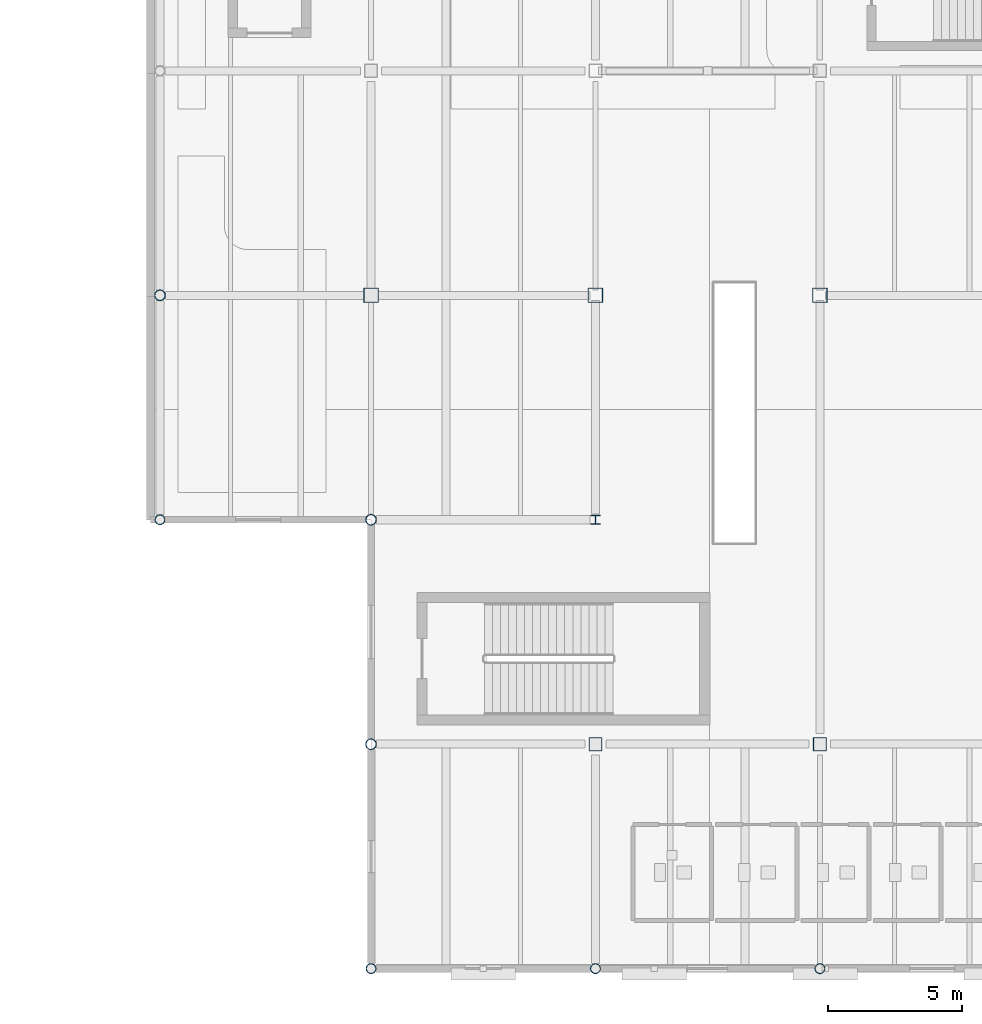
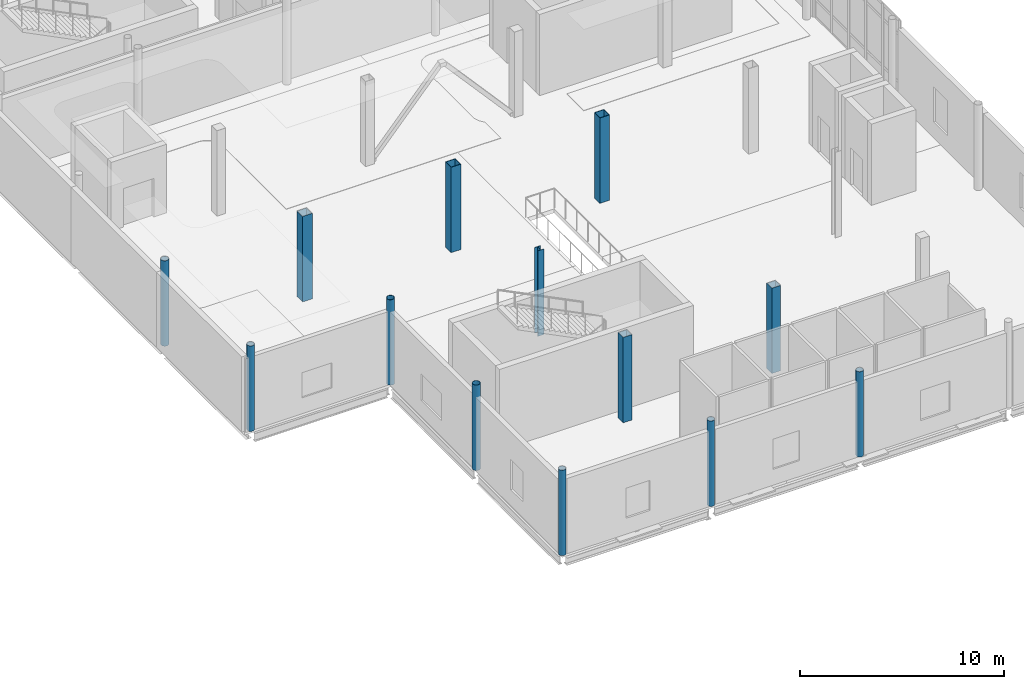
# One storey, part 3 of 104: 13 columns.
"""IFC4 building model written with IfcOpenShell, lengths in metres."""

from ifc_helpers import new_model, si_unit, direction, frame, origin, origin_2d, place, context, subcontext, project, spatial, hollow_rectangle, hollow_circle, i_section, extrude, material, material_profile, profile_set, type_object, element, save


model = new_model("IFC4")

# Units and contexts
model_context = context("Model", 3, precision=1e-05, world=origin(), true_north=direction((0.0, 1.0)))
body_context = subcontext(model_context, "Body", "Model", "MODEL_VIEW")
ifc_project = project(units=[si_unit("LENGTHUNIT", "METRE"), si_unit("AREAUNIT", "SQUARE_METRE"), si_unit("VOLUMEUNIT", "CUBIC_METRE"), si_unit("PLANEANGLEUNIT", "RADIAN"), si_unit("MASSUNIT", "GRAM", prefix="KILO"), si_unit("THERMODYNAMICTEMPERATUREUNIT", "KELVIN")], contexts=[model_context])

# Site, building, storey
site_placement = place(None, origin())
site = spatial("IfcSite", under=ifc_project, at=site_placement, CompositionType="ELEMENT")
building_placement = place(site_placement, origin())
building = spatial("IfcBuilding", under=site, at=building_placement, Name="Lustrewick Department Store", CompositionType="ELEMENT")
storey_placement = place(building_placement, frame((0.0, 0.0, 11.39990234375)))
storey = spatial("IfcBuildingStorey", under=building, at=storey_placement, Name="L03", CompositionType="ELEMENT", Elevation=11.39990234375)

# Columns
ifc_material_1 = material(Name="Structural steel Q355C", Category="steel")
ifc_material_profile_1 = material_profile(ifc_material_1, hollow_rectangle(XDim=0.550048828125, YDim=0.550048828125, WallThickness=0.02197265625, at=origin_2d()), Name="BOX 550x550x22")
ifc_profile_set_1 = profile_set([ifc_material_profile_1], Name="Structural steel Q355C")
column_type_1 = type_object("IfcColumnType", Name="C05", PredefinedType="COLUMN", material=ifc_profile_set_1)
for number, where, z_axis, x_axis, name in (
    (1, (117.60009765625, 33.60009765625, 0.0), (0.0, 0.0, 1.0), (1.0, 0.0, 0.0), "L03 V3 Column C05"),
    (2, (126.0, 33.60009765625, 0.0), (0.0, 0.0, 1.0), (1.0, 0.0, 0.0), "L03 V3 Column C05"),
    (3, (134.39990234375, 33.60009765625, 0.0), (0.0, 0.0, 1.0), (1.0, 0.0, 0.0), "L03 V3 Column C05"),
):
    element("IfcColumn", number, at=place(storey_placement, frame(where, z_axis=z_axis, x_axis=x_axis)), inside=storey, type_object=column_type_1, Name=name, PredefinedType="COLUMN", context=body_context, shape_type="SweptSolid", body=[
        extrude(hollow_rectangle(XDim=0.550048828125, YDim=0.550048828125, WallThickness=0.02197265625, at=origin_2d()), origin(), (0.0, 0.0, 1.0), 5.10009765625),
    ])
ifc_material_2 = material(Name="Structural steel Q355B", Category="steel")
ifc_material_profile_2 = material_profile(ifc_material_2, hollow_rectangle(XDim=0.5, YDim=0.5, WallThickness=0.02001953125, at=origin_2d()), Name="BOX 500x500x20")
ifc_profile_set_2 = profile_set([ifc_material_profile_2], Name="Structural steel Q355B")
column_type_2 = type_object("IfcColumnType", Name="C06", PredefinedType="COLUMN", material=ifc_profile_set_2)
for number, where, z_axis, x_axis, name in (
    (4, (126.0, 16.800048828125, 0.0), (0.0, 0.0, 1.0), (1.0, 0.0, 0.0), "L03 V3 Column C06"),
    (5, (134.39990234375, 16.800048828125, 0.0), (0.0, 0.0, 1.0), (1.0, 0.0, 0.0), "L03 V3 Column C06"),
):
    element("IfcColumn", number, at=place(storey_placement, frame(where, z_axis=z_axis, x_axis=x_axis)), inside=storey, type_object=column_type_2, Name=name, PredefinedType="COLUMN", context=body_context, shape_type="SweptSolid", body=[
        extrude(hollow_rectangle(XDim=0.5, YDim=0.5, WallThickness=0.02001953125, at=origin_2d()), origin(), (0.0, 0.0, 1.0), 5.10009765625),
    ])
ifc_material_profile_3 = material_profile(ifc_material_2, i_section(OverallWidth=0.35009765625, OverallDepth=0.35009765625, WebThickness=0.011962890625, FlangeThickness=0.01904296875, FilletRadius=0.02001953125, at=origin_2d()), Name="HW 350x350x12x19")
ifc_profile_set_3 = profile_set([ifc_material_profile_3], Name="Structural steel Q355B")
column_type_3 = type_object("IfcColumnType", Name="C13", PredefinedType="COLUMN", material=ifc_profile_set_3)
column_placement = place(storey_placement, frame((126.0, 25.199951171875, 0.0), z_axis=(0.0, 0.0, 1.0), x_axis=(1.0, 0.0, 0.0)))
element("IfcColumn", 6, at=column_placement, inside=storey, type_object=column_type_3, Name="L03 V3 Column C13", PredefinedType="COLUMN", context=body_context, shape_type="SweptSolid", body=[
    extrude(i_section(OverallWidth=0.35009765625, OverallDepth=0.35009765625, WebThickness=0.011962890625, FlangeThickness=0.01904296875, FilletRadius=0.02001953125, at=origin_2d()), origin(), (0.0, 0.0, 1.0), 5.10009765625),
])
ifc_material_profile_4 = material_profile(ifc_material_1, hollow_circle(Radius=0.202880859375, WallThickness=0.01611328125, at=origin_2d()), Name="CHS 406x16")
ifc_profile_set_4 = profile_set([ifc_material_profile_4], Name="Structural steel Q355C")
column_type_4 = type_object("IfcColumnType", Name="CE03", PredefinedType="COLUMN", material=ifc_profile_set_4)
for number, where, z_axis, x_axis, name in (
    (7, (109.699951171875, 33.60009765625, 0.0), (0.0, 0.0, 1.0), (1.0, 0.0, 0.0), "L03 V3 Column CE03"),
    (8, (117.60009765625, 16.800048828125, 0.0), (0.0, 0.0, 1.0), (1.0, 0.0, 0.0), "L03 V3 Column CE03"),
    (9, (117.60009765625, 25.199951171875, 0.0), (0.0, 0.0, 1.0), (1.0, 0.0, 0.0), "L03 V3 Column CE03"),
):
    element("IfcColumn", number, at=place(storey_placement, frame(where, z_axis=z_axis, x_axis=x_axis)), inside=storey, type_object=column_type_4, Name=name, PredefinedType="COLUMN", context=body_context, shape_type="SweptSolid", body=[
        extrude(hollow_circle(Radius=0.202880859375, WallThickness=0.01611328125, at=origin_2d()), origin(), (0.0, 0.0, 1.0), 5.10009765625),
    ])
ifc_material_profile_5 = material_profile(ifc_material_2, hollow_circle(Radius=0.1884765625, WallThickness=0.013916015625, at=origin_2d()), Name="CHS 377x14")
ifc_profile_set_5 = profile_set([ifc_material_profile_5], Name="Structural steel Q355B")
column_type_5 = type_object("IfcColumnType", Name="CE04", PredefinedType="COLUMN", material=ifc_profile_set_5)
for number, where, z_axis, x_axis, name in (
    (10, (109.699951171875, 25.199951171875, 0.0), (0.0, 0.0, 1.0), (1.0, 0.0, 0.0), "L03 V3 Column CE04"),
    (11, (117.60009765625, 8.39990234375, 0.0), (0.0, 0.0, 1.0), (1.0, 0.0, 0.0), "L03 V3 Column CE04"),
    (12, (126.0, 8.39990234375, 0.0), (0.0, 0.0, 1.0), (1.0, 0.0, 0.0), "L03 V3 Column CE04"),
    (13, (134.39990234375, 8.39990234375, 0.0), (0.0, 0.0, 1.0), (1.0, 0.0, 0.0), "L03 V3 Column CE04"),
):
    element("IfcColumn", number, at=place(storey_placement, frame(where, z_axis=z_axis, x_axis=x_axis)), inside=storey, type_object=column_type_5, Name=name, PredefinedType="COLUMN", context=body_context, shape_type="SweptSolid", body=[
        extrude(hollow_circle(Radius=0.1884765625, WallThickness=0.013916015625, at=origin_2d()), origin(), (0.0, 0.0, 1.0), 5.10009765625),
    ])

save(model, "model.ifc")
